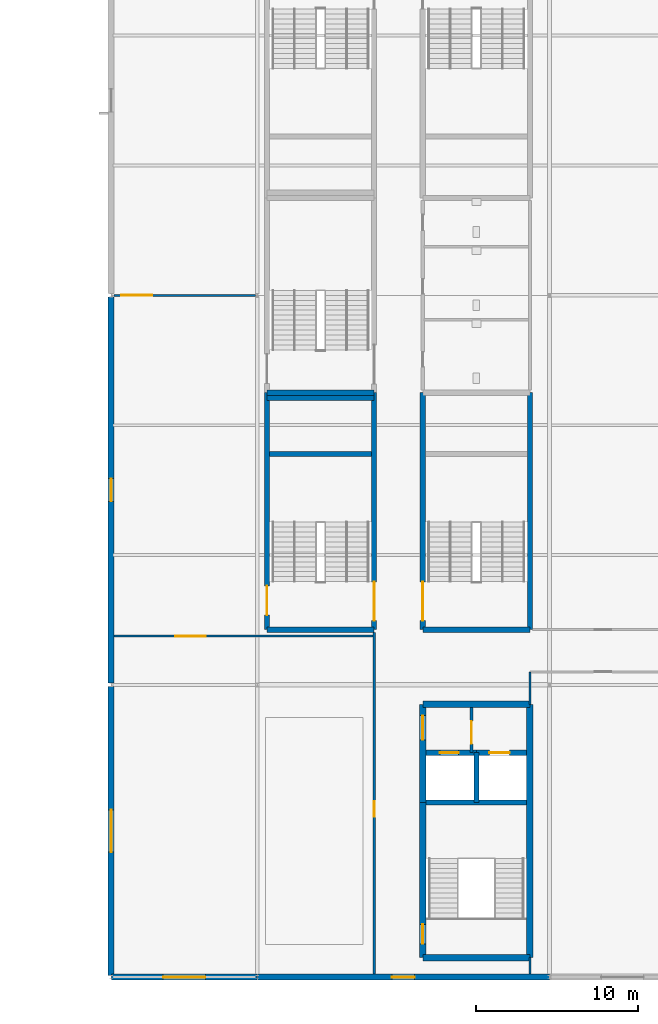
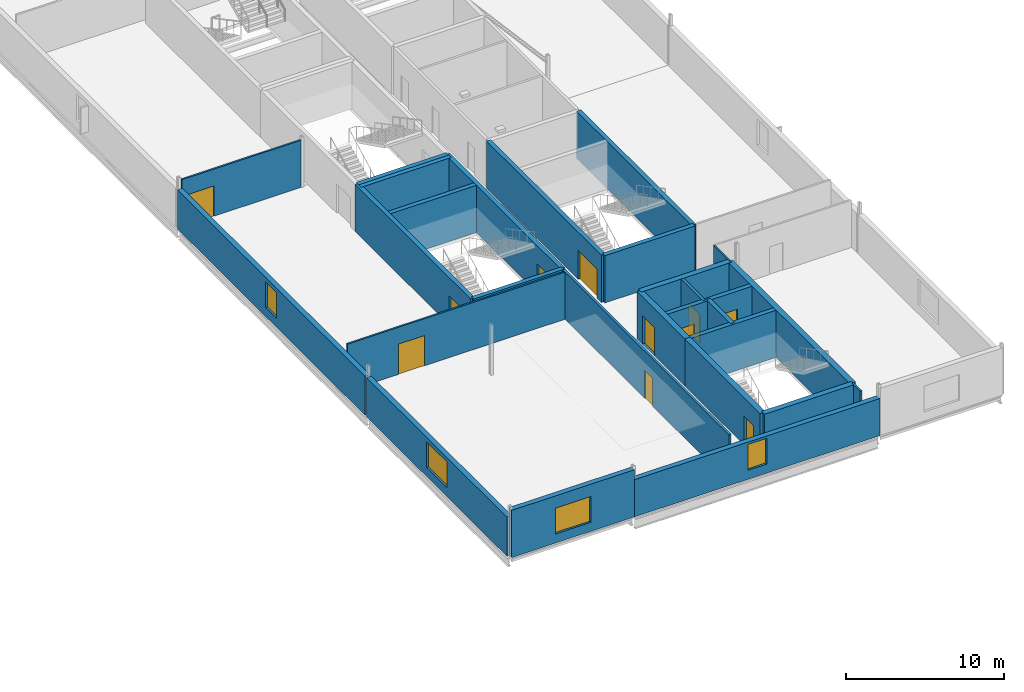
# One storey, part 22 of 35: 28 walls, 11 doors, 4 windows, 15 openings.
"""IFC4 building model written with IfcOpenShell, lengths in metres."""

from ifc_helpers import new_model, si_unit, direction, frame, frame_2d, origin, place, context, subcontext, project, spatial, rectangle, extrude, material, layer, layer_set, type_object, element, fill, save


model = new_model("IFC4")

# Units and contexts
model_context = context("Model", 3, precision=1e-05, world=origin(), true_north=direction((0.0, 1.0)))
body_context = subcontext(model_context, "Body", "Model", "MODEL_VIEW")
ifc_project = project(units=[si_unit("LENGTHUNIT", "METRE"), si_unit("AREAUNIT", "SQUARE_METRE"), si_unit("VOLUMEUNIT", "CUBIC_METRE"), si_unit("PLANEANGLEUNIT", "RADIAN"), si_unit("MASSUNIT", "GRAM", prefix="KILO")], contexts=[model_context])

# Site, building, storey
site_placement = place(None, origin())
site = spatial("IfcSite", under=ifc_project, at=site_placement, CompositionType="ELEMENT")
building_placement = place(site_placement, origin())
building = spatial("IfcBuilding", under=site, at=building_placement, Name="Kisiwana Market Hall", CompositionType="ELEMENT")
storey_placement = place(building_placement, frame((0.0, 0.0, 61.800048828125)))
storey = spatial("IfcBuildingStorey", under=building, at=storey_placement, Name="L14", CompositionType="ELEMENT", Elevation=61.800048828125)

# Wall, opening, door
ifc_material_1 = material(Name="Masonry blockwork", Category="masonry")
ifc_layer_1 = layer(ifc_material_1, 0.199951171875, Name="Plastered fire compartment block wall")
ifc_layer_set_1 = layer_set([ifc_layer_1], Name="WL-COMP-200")
wall_type_1 = type_object("IfcWallType", Name="WL-COMP-200", PredefinedType="PARTITIONING", material=ifc_layer_set_1)
wall_1_placement = place(storey_placement, frame((184.199951171875, 31.820068359375, 0.0), z_axis=(0.0, 0.0, 1.0), x_axis=(0.0, 1.0, 0.0)))
wall_1 = element("IfcWall", 1, at=wall_1_placement, inside=storey, type_object=wall_type_1, Name="Core E2 firefighting lobby wall W-3313", PredefinedType="PARTITIONING", context=body_context, shape_type="SweptSolid", body=[
    extrude(rectangle(XDim=2.780029296875, YDim=0.199951171875, at=frame_2d((1.39013671875, 0.0))), origin(), (0.0, 0.0, 1.0), 3.655029296875),
])
opening_1_placement = place(wall_1_placement, frame((0.550048828125, 0.0, 0.0)))
opening_1 = element("IfcOpeningElement", 2, at=opening_1_placement, cuts=wall_1, Name="Opening DR-L14-009", PredefinedType="OPENING", context=body_context, shape_type="SweptSolid", body=[
    extrude(rectangle(XDim=1.39990234375, YDim=2.25, at=frame_2d((0.699951171875, 1.125))), frame((0.0, 0.11181640625, 0.0), z_axis=(0.0, -1.0, 0.0), x_axis=(1.0, 0.0, 0.0)), (0.0, 0.0, 1.0), 0.223876953125),
])
ifc_material_2 = material(Name="Steel S275", Category="steel")
door_type_1 = type_object("IfcDoorType", Name="DR-FFLOB-FD120-1400", OperationType="DOUBLE_DOOR_SINGLE_SWING", PredefinedType="DOOR", material=ifc_material_2)
door_1_placement = place(opening_1_placement, origin())
door_1 = element("IfcDoor", 3, at=door_1_placement, inside=storey, type_object=door_type_1, Name="Firefighting Lift Lobby E2 Door (L14)", OperationType="DOUBLE_DOOR_SINGLE_SWING", OverallHeight=2.25, OverallWidth=1.39990234375, PredefinedType="DOOR", context=body_context, shape_type="SweptSolid", body=[
    extrude(rectangle(XDim=1.39990234375, YDim=2.25, at=frame_2d((0.699951171875, 1.125))), frame((0.0, 0.02490234375, 0.0), z_axis=(0.0, -1.0, 0.0), x_axis=(1.0, 0.0, 0.0)), (0.0, 0.0, 1.0), 0.050048828125),
])
fill(opening_1, door_1)

# Walls
ifc_material_3 = material(Name="Concrete C40/50", Category="concrete")
ifc_layer_2 = layer(ifc_material_3, 0.320068359375, Name="Reinforced concrete shaft wall")
ifc_layer_set_2 = layer_set([ifc_layer_2], Name="WL-CORE-320")
wall_type_2 = type_object("IfcWallType", Name="WL-CORE-320", PredefinedType="SHEAR", material=ifc_layer_set_2)
wall_2_placement = place(storey_placement, frame((181.39990234375, 28.760009765625, 0.0), z_axis=(0.0, 0.0, 1.0), x_axis=(1.0, 0.0, 0.0)))
element("IfcWall", 4, at=wall_2_placement, inside=storey, type_object=wall_type_2, Name="Core E2 shaft back shear wall W-3222", PredefinedType="SHEAR", context=body_context, shape_type="SweptSolid", body=[
    extrude(rectangle(XDim=6.2001953125, YDim=0.320068359375, at=frame_2d((3.10009765625, 0.0))), origin(), (0.0, 0.0, 1.0), 3.655029296875),
])
wall_3_placement = place(storey_placement, frame((184.5, 28.760009765625, 0.0), z_axis=(0.0, 0.0, 1.0), x_axis=(0.0, 1.0, 0.0)))
element("IfcWall", 5, at=wall_3_placement, inside=storey, type_object=wall_type_2, Name="Core E2 inter-shaft shear wall W-3223", PredefinedType="SHEAR", context=body_context, shape_type="SweptSolid", body=[
    extrude(rectangle(XDim=3.06005859375, YDim=0.320068359375, at=frame_2d((1.530029296875, 0.0))), origin(), (0.0, 0.0, 1.0), 3.655029296875),
])

# Wall, opening, door
wall_4_placement = place(storey_placement, frame((181.39990234375, 31.820068359375, 0.0), z_axis=(0.0, 0.0, 1.0), x_axis=(1.0, 0.0, 0.0)))
wall_4 = element("IfcWall", 6, at=wall_4_placement, inside=storey, type_object=wall_type_2, Name="Core E2 west lift front wall W-3224", PredefinedType="SHEAR", context=body_context, shape_type="SweptSolid", body=[
    extrude(rectangle(XDim=3.10009765625, YDim=0.320068359375, at=frame_2d((1.550048828125, 0.0))), origin(), (0.0, 0.0, 1.0), 3.655029296875),
])
opening_2_placement = place(wall_4_placement, frame((0.85009765625, 0.0, 0.0)))
opening_2 = element("IfcOpeningElement", 7, at=opening_2_placement, cuts=wall_4, Name="Opening LD-L14-005", PredefinedType="OPENING", context=body_context, shape_type="SweptSolid", body=[
    extrude(rectangle(XDim=1.14990234375, YDim=2.199951171875, at=frame_2d((0.574951171875, 1.10009765625))), frame((0.0, 0.171875, 0.0), z_axis=(0.0, -1.0, 0.0), x_axis=(1.0, 0.0, 0.0)), (0.0, 0.0, 1.0), 0.343994140625),
])
ifc_material_4 = material(Name="Steel S275", Category="steel")
door_type_2 = type_object("IfcDoorType", Name="DR-LIFT-PAX-1150", OperationType="DOUBLE_DOOR_SLIDING", PredefinedType="DOOR", material=ifc_material_4)
door_2_placement = place(opening_2_placement, origin())
door_2 = element("IfcDoor", 8, at=door_2_placement, inside=storey, type_object=door_type_2, Name="Lift Landing Door LP-03 (L14)", OperationType="DOUBLE_DOOR_SLIDING", OverallHeight=2.199951171875, OverallWidth=1.14990234375, PredefinedType="DOOR", context=body_context, shape_type="SweptSolid", body=[
    extrude(rectangle(XDim=1.14990234375, YDim=2.199951171875, at=frame_2d((0.574951171875, 1.10009765625))), frame((0.0, 0.02490234375, 0.0), z_axis=(0.0, -1.0, 0.0), x_axis=(1.0, 0.0, 0.0)), (0.0, 0.0, 1.0), 0.050048828125),
])
fill(opening_2, door_2)

wall_5_placement = place(storey_placement, frame((184.5, 31.820068359375, 0.0), z_axis=(0.0, 0.0, 1.0), x_axis=(1.0, 0.0, 0.0)))
wall_5 = element("IfcWall", 9, at=wall_5_placement, inside=storey, type_object=wall_type_2, Name="Core E2 east lift front wall W-3225", PredefinedType="SHEAR", context=body_context, shape_type="SweptSolid", body=[
    extrude(rectangle(XDim=3.10009765625, YDim=0.320068359375, at=frame_2d((1.550048828125, 0.0))), origin(), (0.0, 0.0, 1.0), 3.655029296875),
])
opening_3_placement = place(wall_5_placement, frame((0.800048828125, 0.0, 0.0)))
opening_3 = element("IfcOpeningElement", 10, at=opening_3_placement, cuts=wall_5, Name="Opening LD-L14-006", PredefinedType="OPENING", context=body_context, shape_type="SweptSolid", body=[
    extrude(rectangle(XDim=1.25, YDim=2.25, at=frame_2d((0.625, 1.125))), frame((0.0, 0.171875, 0.0), z_axis=(0.0, -1.0, 0.0), x_axis=(1.0, 0.0, 0.0)), (0.0, 0.0, 1.0), 0.343994140625),
])
ifc_material_5 = material(Name="Steel S275", Category="steel")
door_type_3 = type_object("IfcDoorType", Name="DR-LIFT-FFL-1250", OperationType="DOUBLE_DOOR_SLIDING", PredefinedType="DOOR", material=ifc_material_5)
door_3_placement = place(opening_3_placement, origin())
door_3 = element("IfcDoor", 11, at=door_3_placement, inside=storey, type_object=door_type_3, Name="Lift Landing Door FFL-03 (L14)", OperationType="DOUBLE_DOOR_SLIDING", OverallHeight=2.25, OverallWidth=1.25, PredefinedType="DOOR", context=body_context, shape_type="SweptSolid", body=[
    extrude(rectangle(XDim=1.25, YDim=2.25, at=frame_2d((0.625, 1.125))), frame((0.0, 0.02490234375, 0.0), z_axis=(0.0, -1.0, 0.0), x_axis=(1.0, 0.0, 0.0)), (0.0, 0.0, 1.0), 0.050048828125),
])
fill(opening_3, door_3)

# Wall
wall_6_placement = place(storey_placement, frame((181.199951171875, 39.39990234375, 0.0), z_axis=(0.0, 0.0, 1.0), x_axis=(1.0, 0.0, 0.0)))
element("IfcWall", 12, at=wall_6_placement, inside=storey, type_object=wall_type_2, Name="Core E3 south shear wall W-3245", PredefinedType="SHEAR", context=body_context, shape_type="SweptSolid", body=[
    extrude(rectangle(XDim=6.60009765625, YDim=0.320068359375, at=frame_2d((3.300048828125, 0.0))), origin(), (0.0, 0.0, 1.0), 3.655029296875),
])

# Wall, opening, door
wall_7_placement = place(storey_placement, frame((181.199951171875, 39.39990234375, 0.0), z_axis=(0.0, 0.0, 1.0), x_axis=(0.0, 1.0, 0.0)))
wall_7 = element("IfcWall", 13, at=wall_7_placement, inside=storey, type_object=wall_type_2, Name="Core E3 corridor shear wall W-3247", PredefinedType="SHEAR", context=body_context, shape_type="SweptSolid", body=[
    extrude(rectangle(XDim=14.60009765625, YDim=0.320068359375, at=frame_2d((7.300048828125, 0.0))), origin(), (0.0, 0.0, 1.0), 3.655029296875),
])
opening_4_placement = place(wall_7_placement, frame((0.550048828125, 0.0, 0.0)))
opening_4 = element("IfcOpeningElement", 14, at=opening_4_placement, cuts=wall_7, Name="Opening DR-L14-015", PredefinedType="OPENING", context=body_context, shape_type="SweptSolid", body=[
    extrude(rectangle(XDim=2.39990234375, YDim=2.25, at=frame_2d((1.199951171875, 1.125))), frame((0.0, 0.171875, 0.0), z_axis=(0.0, -1.0, 0.0), x_axis=(1.0, 0.0, 0.0)), (0.0, 0.0, 1.0), 0.343994140625),
])
ifc_material_6 = material(Name="Steel S275", Category="steel")
door_type_4 = type_object("IfcDoorType", Name="DR-STAIR-FD120-2400", OperationType="DOUBLE_DOOR_SINGLE_SWING", PredefinedType="DOOR", material=ifc_material_6)
door_4_placement = place(opening_4_placement, frame((2.39990234375, 0.0, 0.0), z_axis=(0.0, 0.0, 1.0), x_axis=(-1.0, 0.0, 0.0)))
door_4 = element("IfcDoor", 15, at=door_4_placement, inside=storey, type_object=door_type_4, Name="Escape Stair E3 Fire Door (L14)", OperationType="DOUBLE_DOOR_SINGLE_SWING", OverallHeight=2.25, OverallWidth=2.39990234375, PredefinedType="DOOR", context=body_context, shape_type="SweptSolid", body=[
    extrude(rectangle(XDim=2.39990234375, YDim=2.25, at=frame_2d((1.199951171875, 1.125))), frame((0.0, 0.02490234375, 0.0), z_axis=(0.0, -1.0, 0.0), x_axis=(1.0, 0.0, 0.0)), (0.0, 0.0, 1.0), 0.050048828125),
])
fill(opening_4, door_4)

# Walls
wall_8_placement = place(storey_placement, frame((187.800048828125, 39.39990234375, 0.0), z_axis=(0.0, 0.0, 1.0), x_axis=(0.0, 1.0, 0.0)))
element("IfcWall", 16, at=wall_8_placement, inside=storey, type_object=wall_type_2, Name="Core E3 outer shear wall W-3248", PredefinedType="SHEAR", context=body_context, shape_type="SweptSolid", body=[
    extrude(rectangle(XDim=14.60009765625, YDim=0.320068359375, at=frame_2d((7.300048828125, 0.0))), origin(), (0.0, 0.0, 1.0), 3.655029296875),
])
for number, where, z_axis, x_axis, name in (
    (17, (171.60009765625, 39.39990234375, 0.0), (0.0, 0.0, 1.0), (1.0, 0.0, 0.0), "Core E7 south shear wall W-3260"),
    (18, (171.60009765625, 54.0, 0.0), (0.0, 0.0, 1.0), (1.0, 0.0, 0.0), "Core E7 north shear wall W-3261"),
):
    element("IfcWall", number, at=place(storey_placement, frame(where, z_axis=z_axis, x_axis=x_axis)), inside=storey, type_object=wall_type_2, Name=name, PredefinedType="SHEAR", context=body_context, shape_type="SweptSolid", body=[
        extrude(rectangle(XDim=6.599853515625, YDim=0.320068359375, at=frame_2d((3.2998046875, 0.0))), origin(), (0.0, 0.0, 1.0), 3.655029296875),
    ])

# Wall, opening, door
wall_9_placement = place(storey_placement, frame((171.60009765625, 39.39990234375, 0.0), z_axis=(0.0, 0.0, 1.0), x_axis=(0.0, 1.0, 0.0)))
wall_9 = element("IfcWall", 19, at=wall_9_placement, inside=storey, type_object=wall_type_2, Name="Core E7 outer shear wall W-3262", PredefinedType="SHEAR", context=body_context, shape_type="SweptSolid", body=[
    extrude(rectangle(XDim=14.60009765625, YDim=0.320068359375, at=frame_2d((7.300048828125, 0.0))), origin(), (0.0, 0.0, 1.0), 3.655029296875),
])
opening_5_placement = place(wall_9_placement, frame((0.89990234375, 0.0, 0.0)))
opening_5 = element("IfcOpeningElement", 20, at=opening_5_placement, cuts=wall_9, Name="Opening DR-L14-020", PredefinedType="OPENING", context=body_context, shape_type="SweptSolid", body=[
    extrude(rectangle(XDim=1.800048828125, YDim=2.25, at=frame_2d((0.89990234375, 1.125))), frame((0.0, 0.171875, 0.0), z_axis=(0.0, -1.0, 0.0), x_axis=(1.0, 0.0, 0.0)), (0.0, 0.0, 1.0), 0.343994140625),
])
ifc_material_7 = material(Name="Steel S275", Category="steel")
door_type_5 = type_object("IfcDoorType", Name="DR-STAIR-FD120-1800", OperationType="DOUBLE_DOOR_SINGLE_SWING", PredefinedType="DOOR", material=ifc_material_7)
door_5_placement = place(opening_5_placement, frame((1.800048828125, 0.0, 0.0), z_axis=(0.0, 0.0, 1.0), x_axis=(-1.0, 0.0, 0.0)))
door_5 = element("IfcDoor", 21, at=door_5_placement, inside=storey, type_object=door_type_5, Name="Escape Stair E7 Room Door (L14)", OperationType="DOUBLE_DOOR_SINGLE_SWING", OverallHeight=2.25, OverallWidth=1.800048828125, PredefinedType="DOOR", context=body_context, shape_type="SweptSolid", body=[
    extrude(rectangle(XDim=1.800048828125, YDim=2.25, at=frame_2d((0.89990234375, 1.125))), frame((0.0, 0.02490234375, 0.0), z_axis=(0.0, -1.0, 0.0), x_axis=(1.0, 0.0, 0.0)), (0.0, 0.0, 1.0), 0.050048828125),
])
fill(opening_5, door_5)

wall_10_placement = place(storey_placement, frame((178.199951171875, 39.39990234375, 0.0), z_axis=(0.0, 0.0, 1.0), x_axis=(0.0, 1.0, 0.0)))
wall_10 = element("IfcWall", 22, at=wall_10_placement, inside=storey, type_object=wall_type_2, Name="Core E7 corridor shear wall W-3263", PredefinedType="SHEAR", context=body_context, shape_type="SweptSolid", body=[
    extrude(rectangle(XDim=14.60009765625, YDim=0.320068359375, at=frame_2d((7.300048828125, 0.0))), origin(), (0.0, 0.0, 1.0), 3.655029296875),
])
opening_6_placement = place(wall_10_placement, frame((0.550048828125, 0.0, 0.0)))
opening_6 = element("IfcOpeningElement", 23, at=opening_6_placement, cuts=wall_10, Name="Opening DR-L14-019", PredefinedType="OPENING", context=body_context, shape_type="SweptSolid", body=[
    extrude(rectangle(XDim=2.39990234375, YDim=2.25, at=frame_2d((1.199951171875, 1.125))), frame((0.0, 0.171875, 0.0), z_axis=(0.0, -1.0, 0.0), x_axis=(1.0, 0.0, 0.0)), (0.0, 0.0, 1.0), 0.343994140625),
])
door_6_placement = place(opening_6_placement, origin())
door_6 = element("IfcDoor", 24, at=door_6_placement, inside=storey, type_object=door_type_4, Name="Escape Stair E7 Fire Door (L14)", OperationType="DOUBLE_DOOR_SINGLE_SWING", OverallHeight=2.25, OverallWidth=2.39990234375, PredefinedType="DOOR", context=body_context, shape_type="SweptSolid", body=[
    extrude(rectangle(XDim=2.39990234375, YDim=2.25, at=frame_2d((1.199951171875, 1.125))), frame((0.0, 0.02490234375, 0.0), z_axis=(0.0, -1.0, 0.0), x_axis=(1.0, 0.0, 0.0)), (0.0, 0.0, 1.0), 0.050048828125),
])
fill(opening_6, door_6)

# Walls
wall_11_placement = place(storey_placement, frame((171.760009765625, 50.219970703125, 0.0), z_axis=(0.0, 0.0, 1.0), x_axis=(1.0, 0.0, 0.0)))
element("IfcWall", 25, at=wall_11_placement, inside=storey, type_object=wall_type_2, Name="Core E7 riser divider shear wall W-3264", PredefinedType="SHEAR", context=body_context, shape_type="SweptSolid", body=[
    extrude(rectangle(XDim=6.280029296875, YDim=0.320068359375, at=frame_2d((3.14013671875, 0.0))), origin(), (0.0, 0.0, 1.0), 3.655029296875),
])
wall_12_placement = place(storey_placement, frame((171.60009765625, 53.679931640625, 0.0), z_axis=(0.0, 0.0, 1.0), x_axis=(1.0, 0.0, 0.0)))
element("IfcWall", 26, at=wall_12_placement, inside=storey, type_object=wall_type_2, Name="Core E5 south shear wall W-3279", PredefinedType="SHEAR", context=body_context, shape_type="SweptSolid", body=[
    extrude(rectangle(XDim=6.599853515625, YDim=0.320068359375, at=frame_2d((3.2998046875, 0.0))), origin(), (0.0, 0.0, 1.0), 3.655029296875),
])
ifc_material_8 = material(Name="Concrete C40/50", Category="concrete")
ifc_layer_3 = layer(ifc_material_8, 0.39990234375, Name="Reinforced concrete core wall")
ifc_layer_set_3 = layer_set([ifc_layer_3], Name="WL-CORE-400")
wall_type_3 = type_object("IfcWallType", Name="WL-CORE-400", PredefinedType="SHEAR", material=ifc_layer_set_3)
for number, where, z_axis, x_axis, name in (
    (27, (181.199951171875, 19.199951171875, 0.0), (0.0, 0.0, 1.0), (1.0, 0.0, 0.0), "Core E2 south shear wall W-3217"),
    (28, (181.199951171875, 34.800048828125, 0.0), (0.0, 0.0, 1.0), (1.0, 0.0, 0.0), "Core E2 north shear wall W-3218"),
):
    element("IfcWall", number, at=place(storey_placement, frame(where, z_axis=z_axis, x_axis=x_axis)), inside=storey, type_object=wall_type_3, Name=name, PredefinedType="SHEAR", context=body_context, shape_type="SweptSolid", body=[
        extrude(rectangle(XDim=6.60009765625, YDim=0.39990234375, at=frame_2d((3.300048828125, 0.0))), origin(), (0.0, 0.0, 1.0), 3.655029296875),
    ])
wall_13_placement = place(storey_placement, frame((187.800048828125, 19.199951171875, 0.0), z_axis=(0.0, 0.0, 1.0), x_axis=(0.0, 1.0, 0.0)))
element("IfcWall", 29, at=wall_13_placement, inside=storey, type_object=wall_type_3, Name="Core E2 outer shear wall W-3219", PredefinedType="SHEAR", context=body_context, shape_type="SweptSolid", body=[
    extrude(rectangle(XDim=15.60009765625, YDim=0.39990234375, at=frame_2d((7.800048828125, 0.0))), origin(), (0.0, 0.0, 1.0), 3.655029296875),
])

# Wall, opening, door
wall_14_placement = place(storey_placement, frame((181.199951171875, 19.199951171875, 0.0), z_axis=(0.0, 0.0, 1.0), x_axis=(0.0, 1.0, 0.0)))
wall_14 = element("IfcWall", 30, at=wall_14_placement, inside=storey, type_object=wall_type_3, Name="Core E2 stair corridor shear wall W-3220", PredefinedType="SHEAR", context=body_context, shape_type="SweptSolid", body=[
    extrude(rectangle(XDim=9.56005859375, YDim=0.39990234375, at=frame_2d((4.780029296875, 0.0))), origin(), (0.0, 0.0, 1.0), 3.655029296875),
])
opening_7_placement = place(wall_14_placement, frame((0.85009765625, 0.0, 0.0)))
opening_7 = element("IfcOpeningElement", 31, at=opening_7_placement, cuts=wall_14, Name="Opening DR-L14-007", PredefinedType="OPENING", context=body_context, shape_type="SweptSolid", body=[
    extrude(rectangle(XDim=1.199951171875, YDim=2.199951171875, at=frame_2d((0.60009765625, 1.10009765625))), frame((0.0, 0.2119140625, 0.0), z_axis=(0.0, -1.0, 0.0), x_axis=(1.0, 0.0, 0.0)), (0.0, 0.0, 1.0), 0.423828125),
])
ifc_material_9 = material(Name="Steel S275", Category="steel")
door_type_6 = type_object("IfcDoorType", Name="DR-STAIR-FD120-1200", OperationType="NOTDEFINED", PredefinedType="DOOR", material=ifc_material_9)
door_7_placement = place(opening_7_placement, frame((1.199951171875, 0.0, 0.0), z_axis=(0.0, 0.0, 1.0), x_axis=(-1.0, 0.0, 0.0)))
door_7 = element("IfcDoor", 32, at=door_7_placement, inside=storey, type_object=door_type_6, Name="Escape Stair E2 Fire Door (L14)", OperationType="SINGLE_SWING_RIGHT", OverallHeight=2.199951171875, OverallWidth=1.199951171875, PredefinedType="DOOR", context=body_context, shape_type="SweptSolid", body=[
    extrude(rectangle(XDim=1.199951171875, YDim=2.199951171875, at=frame_2d((0.60009765625, 1.10009765625))), frame((0.0, 0.02490234375, 0.0), z_axis=(0.0, -1.0, 0.0), x_axis=(1.0, 0.0, 0.0)), (0.0, 0.0, 1.0), 0.050048828125),
])
fill(opening_7, door_7)

wall_15_placement = place(storey_placement, frame((181.199951171875, 28.760009765625, 0.0), z_axis=(0.0, 0.0, 1.0), x_axis=(0.0, 1.0, 0.0)))
wall_15 = element("IfcWall", 33, at=wall_15_placement, inside=storey, type_object=wall_type_3, Name="Core E2 lobby corridor shear wall W-3221", PredefinedType="SHEAR", context=body_context, shape_type="SweptSolid", body=[
    extrude(rectangle(XDim=6.0400390625, YDim=0.39990234375, at=frame_2d((3.02001953125, 0.0))), origin(), (0.0, 0.0, 1.0), 3.655029296875),
])
opening_8_placement = place(wall_15_placement, frame((3.85009765625, 0.0, 0.0)))
opening_8 = element("IfcOpeningElement", 34, at=opening_8_placement, cuts=wall_15, Name="Opening DR-L14-008", PredefinedType="OPENING", context=body_context, shape_type="SweptSolid", body=[
    extrude(rectangle(XDim=1.5, YDim=2.199951171875, at=frame_2d((0.75, 1.10009765625))), frame((0.0, 0.2119140625, 0.0), z_axis=(0.0, -1.0, 0.0), x_axis=(1.0, 0.0, 0.0)), (0.0, 0.0, 1.0), 0.423828125),
])
ifc_material_10 = material(Name="Steel S275", Category="steel")
door_type_7 = type_object("IfcDoorType", Name="DR-CORR-FD60-1500", OperationType="DOUBLE_DOOR_SINGLE_SWING", PredefinedType="DOOR", material=ifc_material_10)
door_8_placement = place(opening_8_placement, origin())
door_8 = element("IfcDoor", 35, at=door_8_placement, inside=storey, type_object=door_type_7, Name="Passenger Lift Lobby E2 Smoke Door (L14)", OperationType="DOUBLE_DOOR_SINGLE_SWING", OverallHeight=2.199951171875, OverallWidth=1.5, PredefinedType="DOOR", context=body_context, shape_type="SweptSolid", body=[
    extrude(rectangle(XDim=1.5, YDim=2.199951171875, at=frame_2d((0.75, 1.10009765625))), frame((0.0, 0.02490234375, 0.0), z_axis=(0.0, -1.0, 0.0), x_axis=(1.0, 0.0, 0.0)), (0.0, 0.0, 1.0), 0.050048828125),
])
fill(opening_8, door_8)

ifc_material_11 = material(Name="Masonry blockwork", Category="masonry")
ifc_layer_4 = layer(ifc_material_11, 0.169921875, Name="Protected corridor partition")
ifc_layer_set_4 = layer_set([ifc_layer_4], Name="WL-CORR-170")
wall_type_4 = type_object("IfcWallType", Name="WL-CORR-170", PredefinedType="PARTITIONING", material=ifc_layer_set_4)
wall_16_placement = place(storey_placement, frame((178.199951171875, 18.1826171875, 0.0), z_axis=(0.0, 0.0, 1.0), x_axis=(0.0, 1.0, 0.0)))
wall_16 = element("IfcWall", 36, at=wall_16_placement, inside=storey, type_object=wall_type_4, Name="Interior partition W-3347", PredefinedType="PARTITIONING", context=body_context, shape_type="SweptSolid", body=[
    extrude(rectangle(XDim=21.057373046875, YDim=0.169921875, at=frame_2d((10.52880859375, 0.0))), origin(), (0.0, 0.0, 1.0), 3.655029296875),
])
opening_9_placement = place(wall_16_placement, frame((9.677001953125, 0.0, 0.0)))
opening_9 = element("IfcOpeningElement", 37, at=opening_9_placement, cuts=wall_16, Name="Opening DR-L14-047", PredefinedType="OPENING", context=body_context, shape_type="SweptSolid", body=[
    extrude(rectangle(XDim=0.97998046875, YDim=2.14990234375, at=frame_2d((0.489990234375, 1.074951171875))), frame((0.0, 0.096923828125, 0.0), z_axis=(0.0, -1.0, 0.0), x_axis=(1.0, 0.0, 0.0)), (0.0, 0.0, 1.0), 0.19384765625),
])
ifc_material_12 = material(Name="Hardwood timber", Category="wood")
door_type_8 = type_object("IfcDoorType", Name="DR-STOR-FD60-0980", OperationType="NOTDEFINED", PredefinedType="DOOR", material=ifc_material_12)
door_9_placement = place(opening_9_placement, origin())
door_9 = element("IfcDoor", 38, at=door_9_placement, inside=storey, type_object=door_type_8, Name="L14 E Executive Office C1 Door", OperationType="SINGLE_SWING_LEFT", OverallHeight=2.14990234375, OverallWidth=0.97998046875, PredefinedType="DOOR", context=body_context, shape_type="SweptSolid", body=[
    extrude(rectangle(XDim=0.97998046875, YDim=2.14990234375, at=frame_2d((0.489990234375, 1.074951171875))), frame((0.0, 0.02490234375, 0.0), z_axis=(0.0, -1.0, 0.0), x_axis=(1.0, 0.0, 0.0)), (0.0, 0.0, 1.0), 0.050048828125),
])
fill(opening_9, door_9)

# Wall, opening, window
ifc_material_13 = material(Name="Concrete C40/50 precast", Category="concrete")
ifc_layer_5 = layer(ifc_material_13, 0.364990234375)
ifc_layer_set_5 = layer_set([ifc_layer_5], Name="WL-EXT-365")
wall_type_5 = type_object("IfcWallType", Name="WL-EXT-365", PredefinedType="STANDARD", material=ifc_layer_set_5)
wall_17_placement = place(storey_placement, frame((162.010009765625, 18.0, 0.0), z_axis=(0.0, 0.0, 1.0), x_axis=(1.0, 0.0, 0.0)))
wall_17 = element("IfcWall", 39, at=wall_17_placement, inside=storey, type_object=wall_type_5, Name="Exterior wall W-3286", PredefinedType="STANDARD", context=body_context, shape_type="SweptSolid", body=[
    extrude(rectangle(XDim=8.97998046875, YDim=0.364990234375, at=frame_2d((4.489990234375, 0.0))), origin(), (0.0, 0.0, 1.0), 3.655029296875),
])
opening_10_placement = place(wall_17_placement, frame((3.18994140625, 0.0, 0.699951171875)))
opening_10 = element("IfcOpeningElement", 40, at=opening_10_placement, cuts=wall_17, Name="Opening WN-13", PredefinedType="OPENING", context=body_context, shape_type="SweptSolid", body=[
    extrude(rectangle(XDim=2.60009765625, YDim=2.0, at=frame_2d((1.300048828125, 1.0))), frame((0.0, 0.1943359375, 0.0), z_axis=(0.0, -1.0, 0.0), x_axis=(1.0, 0.0, 0.0)), (0.0, 0.0, 1.0), 0.388916015625),
])
ifc_material_14 = material(Name="Double-glazed solar-control low-E IGU", Category="glass")
window_type_1 = type_object("IfcWindowType", Name="WN-OFFC-2600x2000", PartitioningType="SINGLE_PANEL", PredefinedType="WINDOW", material=ifc_material_14)
window_1_placement = place(opening_10_placement, origin())
window_1 = element("IfcWindow", 41, at=window_1_placement, inside=storey, type_object=window_type_1, Name="Exterior window WN-396", OverallHeight=2.0, OverallWidth=2.60009765625, PartitioningType="SINGLE_PANEL", PredefinedType="WINDOW", context=body_context, shape_type="SweptSolid", body=[
    extrude(rectangle(XDim=2.60009765625, YDim=2.0, at=frame_2d((1.300048828125, 1.0))), frame((0.0, 0.030029296875, 0.0), z_axis=(0.0, -1.0, 0.0), x_axis=(1.0, 0.0, 0.0)), (0.0, 0.0, 1.0), 0.06005859375),
])
fill(opening_10, window_1)

wall_18_placement = place(storey_placement, frame((171.010009765625, 18.0, 0.0), z_axis=(0.0, 0.0, 1.0), x_axis=(1.0, 0.0, 0.0)))
wall_18 = element("IfcWall", 42, at=wall_18_placement, inside=storey, type_object=wall_type_5, Name="Exterior wall W-3287", PredefinedType="STANDARD", context=body_context, shape_type="SweptSolid", body=[
    extrude(rectangle(XDim=17.97998046875, YDim=0.364990234375, at=frame_2d((8.989990234375, 0.0))), origin(), (0.0, 0.0, 1.0), 2.879638671875),
])
opening_11_placement = place(wall_18_placement, frame((8.2900390625, 0.0, 0.699951171875)))
opening_11 = element("IfcOpeningElement", 43, at=opening_11_placement, cuts=wall_18, Name="Opening WN-05", PredefinedType="OPENING", context=body_context, shape_type="SweptSolid", body=[
    extrude(rectangle(XDim=1.39990234375, YDim=2.0, at=frame_2d((0.699951171875, 1.0))), frame((0.0, 0.1943359375, 0.0), z_axis=(0.0, -1.0, 0.0), x_axis=(1.0, 0.0, 0.0)), (0.0, 0.0, 1.0), 0.388916015625),
])
ifc_material_15 = material(Name="Double-glazed solar-control low-E IGU", Category="glass")
window_type_2 = type_object("IfcWindowType", Name="WN-OFFC-1400x2000", PartitioningType="SINGLE_PANEL", PredefinedType="WINDOW", material=ifc_material_15)
window_2_placement = place(opening_11_placement, origin())
window_2 = element("IfcWindow", 44, at=window_2_placement, inside=storey, type_object=window_type_2, Name="Exterior window WN-383", OverallHeight=2.0, OverallWidth=1.39990234375, PartitioningType="SINGLE_PANEL", PredefinedType="WINDOW", context=body_context, shape_type="SweptSolid", body=[
    extrude(rectangle(XDim=1.39990234375, YDim=2.0, at=frame_2d((0.699951171875, 1.0))), frame((0.0, 0.030029296875, 0.0), z_axis=(0.0, -1.0, 0.0), x_axis=(1.0, 0.0, 0.0)), (0.0, 0.0, 1.0), 0.06005859375),
])
fill(opening_11, window_2)

wall_19_placement = place(storey_placement, frame((162.0, 18.107666015625, 0.0), z_axis=(0.0, 0.0, 1.0), x_axis=(0.0, 1.0, 0.0)))
wall_19 = element("IfcWall", 45, at=wall_19_placement, inside=storey, type_object=wall_type_5, Name="Exterior wall W-3303", PredefinedType="STANDARD", context=body_context, shape_type="SweptSolid", body=[
    extrude(rectangle(XDim=17.78466796875, YDim=0.364990234375, at=frame_2d((8.892333984375, 0.0))), origin(), (0.0, 0.0, 1.0), 3.02978515625),
])
opening_12_placement = place(wall_19_placement, frame((7.59228515625, 0.0, 0.699951171875)))
opening_12 = element("IfcOpeningElement", 46, at=opening_12_placement, cuts=wall_19, Name="Opening WN-13", PredefinedType="OPENING", context=body_context, shape_type="SweptSolid", body=[
    extrude(rectangle(XDim=2.60009765625, YDim=2.0, at=frame_2d((1.300048828125, 1.0))), frame((0.0, 0.1943359375, 0.0), z_axis=(0.0, -1.0, 0.0), x_axis=(1.0, 0.0, 0.0)), (0.0, 0.0, 1.0), 0.388916015625),
])
window_3_placement = place(opening_12_placement, origin())
window_3 = element("IfcWindow", 47, at=window_3_placement, inside=storey, type_object=window_type_1, Name="Exterior window WN-406", OverallHeight=2.0, OverallWidth=2.60009765625, PartitioningType="SINGLE_PANEL", PredefinedType="WINDOW", context=body_context, shape_type="SweptSolid", body=[
    extrude(rectangle(XDim=2.60009765625, YDim=2.0, at=frame_2d((1.300048828125, 1.0))), frame((0.0, 0.030029296875, 0.0), z_axis=(0.0, -1.0, 0.0), x_axis=(1.0, 0.0, 0.0)), (0.0, 0.0, 1.0), 0.06005859375),
])
fill(opening_12, window_3)

wall_20_placement = place(storey_placement, frame((162.0, 36.107666015625, 0.0), z_axis=(0.0, 0.0, 1.0), x_axis=(0.0, 1.0, 0.0)))
wall_20 = element("IfcWall", 48, at=wall_20_placement, inside=storey, type_object=wall_type_5, Name="Exterior wall W-3304", PredefinedType="STANDARD", context=body_context, shape_type="SweptSolid", body=[
    extrude(rectangle(XDim=23.78466796875, YDim=0.364990234375, at=frame_2d((11.892333984375, 0.0))), origin(), (0.0, 0.0, 1.0), 3.02978515625),
])
opening_13_placement = place(wall_20_placement, frame((11.1923828125, 0.0, 0.699951171875)))
opening_13 = element("IfcOpeningElement", 49, at=opening_13_placement, cuts=wall_20, Name="Opening WN-05", PredefinedType="OPENING", context=body_context, shape_type="SweptSolid", body=[
    extrude(rectangle(XDim=1.39990234375, YDim=2.0, at=frame_2d((0.699951171875, 1.0))), frame((0.0, 0.1943359375, 0.0), z_axis=(0.0, -1.0, 0.0), x_axis=(1.0, 0.0, 0.0)), (0.0, 0.0, 1.0), 0.388916015625),
])
window_4_placement = place(opening_13_placement, origin())
window_4 = element("IfcWindow", 50, at=window_4_placement, inside=storey, type_object=window_type_2, Name="Exterior window WN-390", OverallHeight=2.0, OverallWidth=1.39990234375, PartitioningType="SINGLE_PANEL", PredefinedType="WINDOW", context=body_context, shape_type="SweptSolid", body=[
    extrude(rectangle(XDim=1.39990234375, YDim=2.0, at=frame_2d((0.699951171875, 1.0))), frame((0.0, 0.030029296875, 0.0), z_axis=(0.0, -1.0, 0.0), x_axis=(1.0, 0.0, 0.0)), (0.0, 0.0, 1.0), 0.06005859375),
])
fill(opening_13, window_4)

# Walls
ifc_material_16 = material(Name="Gypsum plasterboard")
ifc_layer_6 = layer(ifc_material_16, 0.125, Name="Double gypsum board + acoustic stud")
ifc_layer_set_6 = layer_set([ifc_layer_6], Name="WL-OFF-125")
wall_type_6 = type_object("IfcWallType", Name="WL-OFF-125", PredefinedType="PARTITIONING", material=ifc_layer_set_6)
wall_21_placement = place(storey_placement, frame((187.800048828125, 34.800048828125, 0.0), z_axis=(0.0, 0.0, 1.0), x_axis=(0.0, 1.0, 0.0)))
element("IfcWall", 51, at=wall_21_placement, inside=storey, type_object=wall_type_6, Name="Interior partition W-3336", PredefinedType="PARTITIONING", context=body_context, shape_type="SweptSolid", body=[
    extrude(rectangle(XDim=2.0, YDim=0.125, at=frame_2d((1.0, 0.0))), origin(), (0.0, 0.0, 1.0), 3.655029296875),
])
wall_22_placement = place(storey_placement, frame((187.800048828125, 18.1826171875, 0.0), z_axis=(0.0, 0.0, 1.0), x_axis=(0.0, 1.0, 0.0)))
element("IfcWall", 52, at=wall_22_placement, inside=storey, type_object=wall_type_6, Name="Interior partition W-3338", PredefinedType="PARTITIONING", context=body_context, shape_type="SweptSolid", body=[
    extrude(rectangle(XDim=1.017333984375, YDim=0.125, at=frame_2d((0.5087890625, 0.0))), origin(), (0.0, 0.0, 1.0), 3.655029296875),
])

# Wall, opening, door
wall_23_placement = place(storey_placement, frame((162.1826171875, 39.0, 0.0), z_axis=(0.0, 0.0, 1.0), x_axis=(1.0, 0.0, 0.0)))
wall_23 = element("IfcWall", 53, at=wall_23_placement, inside=storey, type_object=wall_type_6, Name="Interior partition W-3344", PredefinedType="PARTITIONING", context=body_context, shape_type="SweptSolid", body=[
    extrude(rectangle(XDim=15.932373046875, YDim=0.125, at=frame_2d((7.96630859375, 0.0))), origin(), (0.0, 0.0, 1.0), 3.655029296875),
])
opening_14_placement = place(wall_23_placement, frame((3.75, 0.0, 0.0)))
opening_14 = element("IfcOpeningElement", 54, at=opening_14_placement, cuts=wall_23, Name="Opening DR-L14-045", PredefinedType="OPENING", context=body_context, shape_type="SweptSolid", body=[
    extrude(rectangle(XDim=1.89990234375, YDim=2.35009765625, at=frame_2d((0.949951171875, 1.175048828125))), frame((0.0, 0.074462890625, 0.0), z_axis=(0.0, -1.0, 0.0), x_axis=(1.0, 0.0, 0.0)), (0.0, 0.0, 1.0), 0.14892578125),
])
ifc_material_17 = material(Name="Steel S275", Category="steel")
door_type_9 = type_object("IfcDoorType", Name="DR-HALL-1900", OperationType="DOUBLE_DOOR_SINGLE_SWING", PredefinedType="DOOR", material=ifc_material_17)
door_10_placement = place(opening_14_placement, origin())
door_10 = element("IfcDoor", 55, at=door_10_placement, inside=storey, type_object=door_type_9, Name="L14 E Director Boardroom C2 Exit Door", OperationType="DOUBLE_DOOR_SINGLE_SWING", OverallHeight=2.35009765625, OverallWidth=1.89990234375, PredefinedType="DOOR", context=body_context, shape_type="SweptSolid", body=[
    extrude(rectangle(XDim=1.89990234375, YDim=2.35009765625, at=frame_2d((0.949951171875, 1.175048828125))), frame((0.0, 0.02490234375, 0.0), z_axis=(0.0, -1.0, 0.0), x_axis=(1.0, 0.0, 0.0)), (0.0, 0.0, 1.0), 0.050048828125),
])
fill(opening_14, door_10)

wall_24_placement = place(storey_placement, frame((162.1826171875, 60.0, 0.0), z_axis=(0.0, 0.0, 1.0), x_axis=(1.0, 0.0, 0.0)))
wall_24 = element("IfcWall", 56, at=wall_24_placement, inside=storey, type_object=wall_type_6, Name="Interior partition W-3345", PredefinedType="PARTITIONING", context=body_context, shape_type="SweptSolid", body=[
    extrude(rectangle(XDim=8.712646484375, YDim=0.125, at=frame_2d((4.3564453125, 0.0))), origin(), (0.0, 0.0, 1.0), 3.655029296875),
])
opening_15_placement = place(wall_24_placement, frame((0.449951171875, 0.0, 0.0)))
opening_15 = element("IfcOpeningElement", 57, at=opening_15_placement, cuts=wall_24, Name="Opening DR-L14-046", PredefinedType="OPENING", context=body_context, shape_type="SweptSolid", body=[
    extrude(rectangle(XDim=1.89990234375, YDim=2.35009765625, at=frame_2d((0.949951171875, 1.175048828125))), frame((0.0, 0.074462890625, 0.0), z_axis=(0.0, -1.0, 0.0), x_axis=(1.0, 0.0, 0.0)), (0.0, 0.0, 1.0), 0.14892578125),
])
door_11_placement = place(opening_15_placement, origin())
door_11 = element("IfcDoor", 58, at=door_11_placement, inside=storey, type_object=door_type_9, Name="L14 E Director Boardroom C2 Exit Door", OperationType="DOUBLE_DOOR_SINGLE_SWING", OverallHeight=2.35009765625, OverallWidth=1.89990234375, PredefinedType="DOOR", context=body_context, shape_type="SweptSolid", body=[
    extrude(rectangle(XDim=1.89990234375, YDim=2.35009765625, at=frame_2d((0.949951171875, 1.175048828125))), frame((0.0, 0.02490234375, 0.0), z_axis=(0.0, -1.0, 0.0), x_axis=(1.0, 0.0, 0.0)), (0.0, 0.0, 1.0), 0.050048828125),
])
fill(opening_15, door_11)

save(model, "model.ifc")
